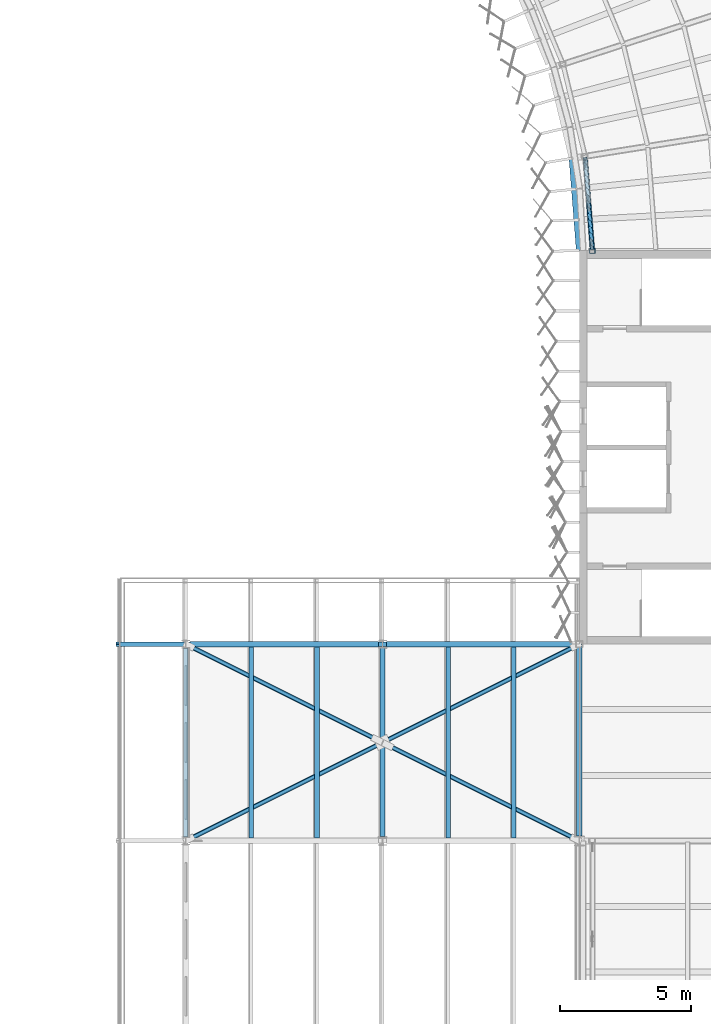
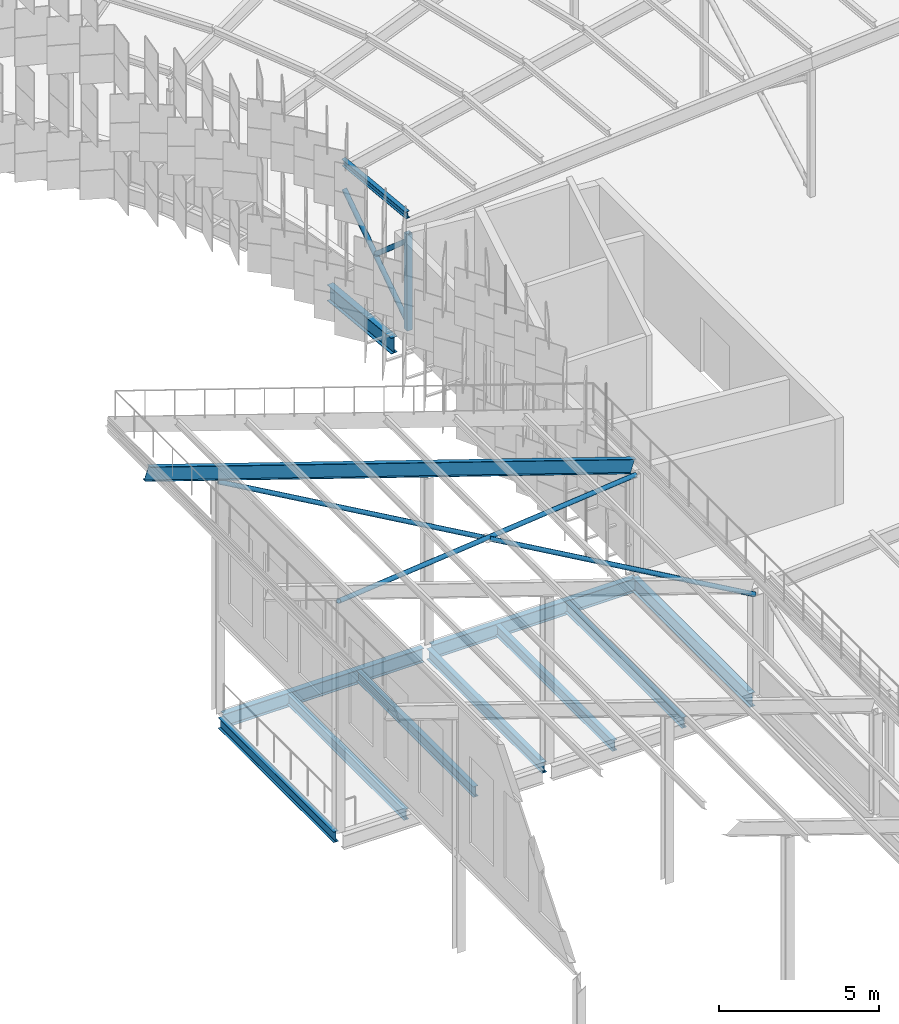
# One storey, part 77 of 483: 11 beams, 7 members.
"""IFC4 building model written with IfcOpenShell, lengths in metres."""

import ifcopenshell
import ifcopenshell.guid

model = None  # the IFC model being written
_history = None  # IfcOwnerHistory: only IFC2X3 demands one
_inside = {}  # id of a spatial element -> (the spatial element, [elements in it])
_under = {}  # id of a project, library or spatial element -> (it, [spatial elements below it])
_declared = {}  # id of a project -> (the project, [libraries it declares])
_typed = {}  # id of a type object -> (the type object, [elements of that type])
_made_of = {}  # id of a material, layer set ... -> (it, [elements and type objects made of it])


def new_model(schema):
    """Start an empty IFC model of exactly this schema.

    Asked for "IFC4X3", IfcOpenShell would pick the latest addendum, in which some entities
    have other attributes; the version numbers below select the first issue.
    IFC2X3 requires an IfcOwnerHistory on every rooted entity: one is made here for all.
    """
    global model, _history
    if schema == "IFC4X3":
        model = ifcopenshell.file(schema_version=(4, 3, 0, 0))
    else:
        model = ifcopenshell.file(schema=schema)
    _inside.clear()
    _under.clear()
    _declared.clear()
    _typed.clear()
    _made_of.clear()
    _history = None
    if model.schema == "IFC2X3":
        org = make("IfcOrganization", Name="unknown")
        user = make(
            "IfcPersonAndOrganization",
            ThePerson=make("IfcPerson", FamilyName="unknown"),
            TheOrganization=org,
        )
        app = make(
            "IfcApplication",
            ApplicationDeveloper=org,
            Version="unknown",
            ApplicationFullName="unknown",
            ApplicationIdentifier="unknown",
        )
        _history = make(
            "IfcOwnerHistory",
            OwningUser=user,
            OwningApplication=app,
            ChangeAction="ADDED",
            CreationDate=0,
        )
    return model


def make(cls, **values):
    """One entity of the class cls with the attributes given. An attribute that is None is left unset."""
    return model.create_entity(
        cls, **{name: value for name, value in values.items() if value is not None}
    )


def rooted(cls, **values):
    """An entity with a GlobalId (a new one), such as an element, a storey or a relation."""
    return make(cls, GlobalId=ifcopenshell.guid.new(), OwnerHistory=_history, **values)


def si_unit(unit_type, name, prefix=None):
    """IfcSIUnit, for example si_unit("LENGTHUNIT", "METRE", prefix="MILLI")."""
    return make("IfcSIUnit", UnitType=unit_type, Prefix=prefix, Name=name)


def assignment(units):
    """IfcUnitAssignment: the units of a project."""
    return None if units is None else make("IfcUnitAssignment", Units=units)


def point(xyz):
    """IfcCartesianPoint."""
    return None if xyz is None else make("IfcCartesianPoint", Coordinates=xyz)


def direction(xyz):
    """IfcDirection."""
    return None if xyz is None else make("IfcDirection", DirectionRatios=xyz)


def frame(location, z_axis=None, x_axis=None):
    """IfcAxis2Placement3D, a coordinate frame: its origin and axes. An axis left out is left unset."""
    return make(
        "IfcAxis2Placement3D",
        Location=point(location),
        Axis=direction(z_axis),
        RefDirection=direction(x_axis),
    )


def frame_2d(location, x_axis=None):
    """IfcAxis2Placement2D, a coordinate frame in the plane: its origin and x axis."""
    return make(
        "IfcAxis2Placement2D", Location=point(location), RefDirection=direction(x_axis)
    )


def origin():
    """The frame at (0, 0, 0) with its axes left unset."""
    return frame((0.0, 0.0, 0.0))


def origin_2d():
    """The frame at (0, 0) in the plane with its x axis left unset."""
    return frame_2d((0.0, 0.0))


def place(relative_to, where):
    """IfcLocalPlacement: puts the frame where relative to a parent placement (None: the world)."""
    return make(
        "IfcLocalPlacement", PlacementRelTo=relative_to, RelativePlacement=where
    )


def context(
    kind, dimensions, precision=None, world=None, true_north=None, identifier=None
):
    """IfcGeometricRepresentationContext, for example the 3D "Model" context."""
    return make(
        "IfcGeometricRepresentationContext",
        ContextIdentifier=identifier,
        ContextType=kind,
        CoordinateSpaceDimension=dimensions,
        Precision=precision,
        WorldCoordinateSystem=world,
        TrueNorth=true_north,
    )


def subcontext(parent, identifier, kind, view, scale=None):
    """IfcGeometricRepresentationSubContext, for example "Body" below "Model"."""
    return make(
        "IfcGeometricRepresentationSubContext",
        ContextIdentifier=identifier,
        ContextType=kind,
        ParentContext=parent,
        TargetScale=scale,
        TargetView=view,
    )


def project(units=None, contexts=None):
    """IfcProject with its units and contexts."""
    return rooted(
        "IfcProject",
        Name="project",
        RepresentationContexts=contexts,
        UnitsInContext=assignment(units),
    )


def spatial(cls, under=None, at=None, **own):
    """A site, building, storey or space (cls), placed at a placement, below another one or the project."""
    s = rooted(cls, ObjectPlacement=at, **own)
    if under is not None:
        _under.setdefault(under.id(), (under, []))[1].append(s)
    return s


def profile(cls, at=None, kind="AREA", **sizes):
    """A parametric profile (cls). Its sizes go by their IFC names, for example OverallWidth=200.0."""
    return make(cls, ProfileType=kind, Position=at, **sizes)


def hollow_rectangle(**sizes):
    """IfcRectangleHollowProfileDef."""
    return profile("IfcRectangleHollowProfileDef", **sizes)


def hollow_circle(**sizes):
    """IfcCircleHollowProfileDef."""
    return profile("IfcCircleHollowProfileDef", **sizes)


def i_section(**sizes):
    """IfcIShapeProfileDef."""
    return profile("IfcIShapeProfileDef", **sizes)


def extrude(swept, where, along, depth):
    """IfcExtrudedAreaSolid: the profile swept, set in the frame where, extruded along a direction by depth."""
    return make(
        "IfcExtrudedAreaSolid",
        SweptArea=swept,
        Position=where,
        ExtrudedDirection=direction(along),
        Depth=depth,
    )


def shape(context_of_items, identifier, shape_type, items):
    """IfcShapeRepresentation: the items that make up one representation, for example the "Body"."""
    return make(
        "IfcShapeRepresentation",
        ContextOfItems=context_of_items,
        RepresentationIdentifier=identifier,
        RepresentationType=shape_type,
        Items=items,
    )


def material(Name=None, Category=None):
    """IfcMaterial."""
    return make("IfcMaterial", Name=Name, Category=Category)


def material_profile(
    of_material, cross_section, Name=None, Category=None, Priority=None
):
    """IfcMaterialProfile: a cross section and its material."""
    return make(
        "IfcMaterialProfile",
        Name=Name,
        Material=of_material,
        Profile=cross_section,
        Priority=Priority,
        Category=Category,
    )


def profile_set(profiles, Name=None, composite=None):
    """IfcMaterialProfileSet."""
    return make(
        "IfcMaterialProfileSet",
        Name=Name,
        MaterialProfiles=profiles,
        CompositeProfile=composite,
    )


def made_of(thing, what):
    """Note that an element or type object is made of a material, layer set ...; save() writes the relation."""
    if what is not None:
        _made_of.setdefault(what.id(), (what, []))[1].append(thing)
    return thing


def type_object(cls, material=None, **own):
    """A type object (cls), such as IfcWallType, which elements share."""
    return made_of(rooted(cls, **own), material)


def element(
    cls,
    number,
    at=None,
    inside=None,
    cuts=None,
    type_object=None,
    material=None,
    context=None,
    identifier="Body",
    shape_type=None,
    held_by="IfcProductDefinitionShape",
    body=None,
    shapes=None,
    **own,
):
    """One element of the class cls, such as IfcWall. Its Tag is "e" and its number.

    at: its placement. inside: the storey or other place that contains it. cuts: it is an
    opening in that element (IfcRelVoidsElement). A single representation is given by context,
    identifier, shape_type and body (its items); several are given by shapes. held_by: the class
    of the entity that holds the representations. save() writes the other relations.
    """
    e = rooted(cls, Tag="e%d" % number, ObjectPlacement=at, **own)
    if body is not None:
        shapes = [shape(context, identifier, shape_type, body)]
    if shapes is not None:
        e.Representation = make(held_by, Representations=shapes)
    if inside is not None:
        _inside.setdefault(inside.id(), (inside, []))[1].append(e)
    if cuts is not None:
        rooted(
            "IfcRelVoidsElement", RelatingBuildingElement=cuts, RelatedOpeningElement=e
        )
    if type_object is not None:
        _typed.setdefault(type_object.id(), (type_object, []))[1].append(e)
    return made_of(e, material)


def aggregate(whole, parts):
    """IfcRelAggregates: a whole, such as a stair, and the parts it consists of."""
    return rooted("IfcRelAggregates", RelatingObject=whole, RelatedObjects=parts)


def save(model, path):
    """Write the relations noted so far, then the file.

    IfcRelAggregates (storeys below a building ...), IfcRelContainedInSpatialStructure (elements
    in a storey), IfcRelDefinesByType, IfcRelAssociatesMaterial and IfcRelDeclares: one each for
    every whole, place, type object, material and project.
    """
    for whole, parts in _under.values():
        aggregate(whole, parts)
    for where, things in _inside.values():
        rooted(
            "IfcRelContainedInSpatialStructure",
            RelatedElements=things,
            RelatingStructure=where,
        )
    for kind, things in _typed.values():
        rooted("IfcRelDefinesByType", RelatedObjects=things, RelatingType=kind)
    for what, things in _made_of.values():
        rooted("IfcRelAssociatesMaterial", RelatedObjects=things, RelatingMaterial=what)
    for by, libraries in _declared.values():
        rooted("IfcRelDeclares", RelatingContext=by, RelatedDefinitions=libraries)
    model.write(path)


model = new_model("IFC4")

# Units and contexts
model_context = context("Model", 3, precision=1e-05, world=origin(), true_north=direction((0.0, 1.0)))
body_context = subcontext(model_context, "Body", "Model", "MODEL_VIEW")
ifc_project = project(units=[si_unit("LENGTHUNIT", "METRE"), si_unit("AREAUNIT", "SQUARE_METRE"), si_unit("VOLUMEUNIT", "CUBIC_METRE"), si_unit("PLANEANGLEUNIT", "RADIAN"), si_unit("MASSUNIT", "GRAM", prefix="KILO")], contexts=[model_context])

# Site, building, storey
site_placement = place(None, origin())
site = spatial("IfcSite", under=ifc_project, at=site_placement, CompositionType="ELEMENT")
building_placement = place(site_placement, origin())
building = spatial("IfcBuilding", under=site, at=building_placement, Name="Parallax Yard Mobility Hub", CompositionType="ELEMENT")
storey_placement = place(building_placement, frame((0.0, 0.0, 13.199951171875)))
storey = spatial("IfcBuildingStorey", under=building, at=storey_placement, Name="L04", CompositionType="ELEMENT", Elevation=13.199951171875)

# Members
ifc_material_1 = material(Name="Steel ASTM A500 Gr C", Category="steel")
ifc_material_profile_1 = material_profile(ifc_material_1, hollow_circle(Radius=0.0888671875, WallThickness=0.0078125, at=origin_2d()), Name="HSS177.8x7.9")
ifc_profile_set_1 = profile_set([ifc_material_profile_1], Name="Steel ASTM A500 Gr C")
member_type_1 = type_object("IfcMemberType", Name="Canopy brace HSS177.8x7.9", PredefinedType="BRACE", material=ifc_profile_set_1)
member_1_placement = place(storey_placement, frame((195.49267578125, 90.093994140625, 0.300048828125), z_axis=(-0.059112785919, 0.750571164477, 0.658140262859), x_axis=(-0.996913015219, -0.07851394836, 0.0)))
element("IfcMember", 1, at=member_1_placement, inside=storey, type_object=member_type_1, Name="Canopy X brace RA bay R9-R10 diagonal B", PredefinedType="BRACE", context=body_context, shape_type="SweptSolid", body=[
    extrude(hollow_circle(Radius=0.0888671875, WallThickness=0.0078125, at=origin_2d()), origin(), (0.0, 0.0, 1.0), 4.54296875),
])
member_2_placement = place(storey_placement, frame((195.363037109375, 91.7392578125, 1.84765625), z_axis=(0.059146020461, -0.750630945176, 0.658069093946), x_axis=(0.996910049128, 0.078551600547, 0.0)))
element("IfcMember", 2, at=member_2_placement, inside=storey, type_object=member_type_1, Name="Canopy X brace RA bay R9-R10 diagonal A part 2", PredefinedType="BRACE", context=body_context, shape_type="SweptSolid", body=[
    extrude(hollow_circle(Radius=0.0888671875, WallThickness=0.0078125, at=origin_2d()), origin(), (0.0, 0.0, 1.0), 2.19189453125),
])
ifc_material_profile_2 = material_profile(ifc_material_1, hollow_rectangle(XDim=0.203125, YDim=0.203125, WallThickness=0.009521484375, at=origin_2d()), Name="HSS203x203x9.5")
ifc_profile_set_2 = profile_set([ifc_material_profile_2], Name="Steel ASTM A500 Gr C")
member_type_2 = type_object("IfcMemberType", Name="Canopy post HSS203x203x9.5", PredefinedType="POST", material=ifc_profile_set_2)
member_3_placement = place(storey_placement, frame((195.5, 90.0, 0.0), z_axis=(0.0, 0.0, 1.0), x_axis=(1.0, 0.0, 0.0)))
element("IfcMember", 3, at=member_3_placement, inside=storey, type_object=member_type_2, Name="Canopy post RA/R10", PredefinedType="POST", context=body_context, shape_type="SweptSolid", body=[
    extrude(hollow_rectangle(XDim=0.203125, YDim=0.203125, WallThickness=0.009521484375, at=origin_2d()), origin(), (0.0, 0.0, 1.0), 3.650146484375),
])
ifc_material_2 = material(Name="Steel ASTM A992", Category="steel")
ifc_material_profile_3 = material_profile(ifc_material_2, i_section(OverallWidth=0.14794921875, OverallDepth=0.26611328125, WebThickness=0.007568359375, FlangeThickness=0.012939453125, at=origin_2d()), Name="W250x45")
ifc_profile_set_3 = profile_set([ifc_material_profile_3], Name="Steel ASTM A992")
member_type_3 = type_object("IfcMemberType", Name="Canopy purlin W250x45", PredefinedType="PURLIN", material=ifc_profile_set_3)
member_4_placement = place(storey_placement, frame((195.23046875, 93.55908203125, 4.302001953125), z_axis=(0.078516138815, -0.996912842703, 0.0), x_axis=(0.993718388442, 0.078264545894, 0.079990157691)))
element("IfcMember", 4, at=member_4_placement, inside=storey, type_object=member_type_3, Name="Canopy purlin sector R9-R10 line 1", PredefinedType="PURLIN", context=body_context, shape_type="SweptSolid", body=[
    extrude(i_section(OverallWidth=0.14794921875, OverallDepth=0.26611328125, WebThickness=0.007568359375, FlangeThickness=0.012939453125, at=origin_2d()), origin(), (0.0, 0.0, 1.0), 3.529296875),
])
ifc_material_profile_4 = material_profile(ifc_material_1, hollow_circle(Radius=0.084228515625, WallThickness=0.007080078125, at=origin_2d()), Name="HSS168.3x7.1")
ifc_profile_set_4 = profile_set([ifc_material_profile_4], Name="Steel ASTM A500 Gr C")
member_type_4 = type_object("IfcMemberType", Name="Roof brace HSS168.3x7.1", PredefinedType="BRACE", material=ifc_profile_set_4)
member_5_placement = place(storey_placement, frame((180.0, 67.5, 8.71142578125), z_axis=(0.857142857143, 0.428571428571, -0.285714285714), x_axis=(-0.4472135955, 0.894427191, 0.0)))
element("IfcMember", 5, at=member_5_placement, inside=storey, type_object=member_type_4, Name="Roof X brace end bay 2 1", PredefinedType="BRACE", context=body_context, shape_type="SweptSolid", body=[
    extrude(hollow_circle(Radius=0.084228515625, WallThickness=0.007080078125, at=origin_2d()), origin(), (0.0, 0.0, 1.0), 17.5),
])
for number, where, z_axis, x_axis, name in (
    (6, (195.0, 67.5, 3.71142578125), (-0.857149765539, 0.42857488277, 0.285688377949), (-0.4472135955, -0.894427191, 0.0), "Roof X brace end bay 2 2 (half 1)"),
    (7, (187.41796875, 71.291015625, 6.23876953125), (-0.857142857143, 0.428571428571, 0.285714285714), (-0.4472135955, -0.894427191, 0.0), "Roof X brace end bay 2 2 (half 2)"),
):
    element("IfcMember", number, at=place(storey_placement, frame(where, z_axis=z_axis, x_axis=x_axis)), inside=storey, type_object=member_type_4, Name=name, PredefinedType="BRACE", context=body_context, shape_type="SweptSolid", body=[
        extrude(hollow_circle(Radius=0.084228515625, WallThickness=0.007080078125, at=origin_2d()), origin(), (0.0, 0.0, 1.0), 8.654296875),
    ])

# Beams
ifc_material_profile_5 = material_profile(ifc_material_2, i_section(OverallWidth=0.166015625, OverallDepth=0.529052734375, WebThickness=0.009765625, FlangeThickness=0.013671875, at=origin_2d()), Name="W530x74")
ifc_profile_set_5 = profile_set([ifc_material_profile_5], Name="Steel ASTM A992")
beam_type_1 = type_object("IfcBeamType", Name="Roof rafter W530x74", PredefinedType="BEAM", material=ifc_profile_set_5)
beam_1_placement = place(storey_placement, frame((177.41650390625, 75.0, 9.93994140625), z_axis=(0.948684621542, 0.0, -0.316223795515), x_axis=(0.0, 1.0, 0.0)))
element("IfcBeam", 8, at=beam_1_placement, inside=storey, type_object=beam_type_1, Name="Roof rafter at y 75", PredefinedType="BEAM", context=body_context, shape_type="SweptSolid", body=[
    extrude(i_section(OverallWidth=0.166015625, OverallDepth=0.529052734375, WebThickness=0.009765625, FlangeThickness=0.013671875, at=origin_2d()), origin(), (0.0, 0.0, 1.0), 18.446533203125),
])
ifc_material_profile_6 = material_profile(ifc_material_2, i_section(OverallWidth=0.177978515625, OverallDepth=0.406005859375, WebThickness=0.0078125, FlangeThickness=0.0126953125, FilletRadius=0.01025390625, at=origin_2d()), Name="W410x60")
ifc_profile_set_6 = profile_set([ifc_material_profile_6], Name="Steel ASTM A992")
beam_type_2 = type_object("IfcBeamType", Name="W410x60 edge beam", PredefinedType="SPANDREL", material=ifc_profile_set_6)
beam_2_placement = place(storey_placement, frame((180.0, 67.653564453125, -0.343017578125), z_axis=(0.0, 1.0, 0.0), x_axis=(-1.0, 0.0, 0.0)))
element("IfcBeam", 9, at=beam_2_placement, inside=storey, type_object=beam_type_2, Name="Edge beam SB1 level L04, line 25 of ramp house, span 1", PredefinedType="SPANDREL", context=body_context, shape_type="SweptSolid", body=[
    extrude(i_section(OverallWidth=0.177978515625, OverallDepth=0.406005859375, WebThickness=0.0078125, FlangeThickness=0.0126953125, FilletRadius=0.01025390625, at=origin_2d()), origin(), (0.0, 0.0, 1.0), 7.19287109375),
])
ifc_material_profile_7 = material_profile(ifc_material_2, i_section(OverallWidth=0.177978515625, OverallDepth=0.406005859375, WebThickness=0.0078125, FlangeThickness=0.0126953125, FilletRadius=0.01025390625, at=origin_2d()), Name="W410x60")
ifc_profile_set_7 = profile_set([ifc_material_profile_7], Name="Steel ASTM A992")
beam_type_3 = type_object("IfcBeamType", Name="W410x60 longitudinal beam", PredefinedType="BEAM", material=ifc_profile_set_7)
beam_3_placement = place(storey_placement, frame((187.5, 67.6640625, -0.343017578125), z_axis=(0.0, 1.0, 0.0), x_axis=(-1.0, 0.0, 0.0)))
element("IfcBeam", 10, at=beam_3_placement, inside=storey, type_object=beam_type_3, Name="Longitudinal beam SB2 level L04, line 26 of ramp house, span 1", PredefinedType="BEAM", context=body_context, shape_type="SweptSolid", body=[
    extrude(i_section(OverallWidth=0.177978515625, OverallDepth=0.406005859375, WebThickness=0.0078125, FlangeThickness=0.0126953125, FilletRadius=0.01025390625, at=origin_2d()), origin(), (0.0, 0.0, 1.0), 7.182373046875),
])
ifc_material_profile_8 = material_profile(ifc_material_2, i_section(OverallWidth=0.177978515625, OverallDepth=0.406005859375, WebThickness=0.0078125, FlangeThickness=0.0126953125, FilletRadius=0.01025390625, at=origin_2d()), Name="W410x60")
ifc_profile_set_8 = profile_set([ifc_material_profile_8], Name="Steel ASTM A992")
beam_type_4 = type_object("IfcBeamType", Name="W410x60 secondary beam", PredefinedType="JOIST", material=ifc_profile_set_8)
for number, where, z_axis, x_axis, name in (
    (11, (182.5, 67.6044921875, -0.343017578125), (0.0, 1.0, 0.0), (-1.0, 0.0, 0.0), "Secondary beam B1 level L04, 2.5 m east of line 25 of ramp house, span 1"),
    (12, (190.0, 67.6044921875, -0.343017578125), (0.0, 1.0, 0.0), (-1.0, 0.0, 0.0), "Secondary beam B1 level L04, 2.5 m east of line 26 of ramp house, span 1"),
    (13, (185.0, 67.6044921875, -0.343017578125), (0.0, 1.0, 0.0), (-1.0, 0.0, 0.0), "Secondary beam B1 level L04, 5 m east of line 25 of ramp house, span 1"),
    (14, (192.5, 67.6044921875, -0.343017578125), (0.0, 1.0, 0.0), (-1.0, 0.0, 0.0), "Secondary beam B1 level L04, 5 m east of line 26 of ramp house, span 1"),
):
    element("IfcBeam", number, at=place(storey_placement, frame(where, z_axis=z_axis, x_axis=x_axis)), inside=storey, type_object=beam_type_4, Name=name, PredefinedType="JOIST", context=body_context, shape_type="SweptSolid", body=[
        extrude(i_section(OverallWidth=0.177978515625, OverallDepth=0.406005859375, WebThickness=0.0078125, FlangeThickness=0.0126953125, FilletRadius=0.01025390625, at=origin_2d()), origin(), (0.0, 0.0, 1.0), 7.291015625),
    ])
ifc_material_profile_9 = material_profile(ifc_material_2, i_section(OverallWidth=0.208984375, OverallDepth=0.532958984375, WebThickness=0.01025390625, FlangeThickness=0.015625, FilletRadius=0.0126953125, at=origin_2d()), Name="W530x92")
ifc_profile_set_9 = profile_set([ifc_material_profile_9], Name="Steel ASTM A992")
beam_type_5 = type_object("IfcBeamType", Name="W530x92 edge beam", PredefinedType="SPANDREL", material=ifc_profile_set_9)
beam_4_placement = place(storey_placement, frame((195.0, 67.6865234375, -0.406494140625), z_axis=(0.0, 1.0, 0.0), x_axis=(-1.0, 0.0, 0.0)))
element("IfcBeam", 15, at=beam_4_placement, inside=storey, type_object=beam_type_5, Name="Edge beam SB5 level L04, line 27 of ramped parking decks, span 6", PredefinedType="SPANDREL", context=body_context, shape_type="SweptSolid", body=[
    extrude(i_section(OverallWidth=0.208984375, OverallDepth=0.532958984375, WebThickness=0.01025390625, FlangeThickness=0.015625, FilletRadius=0.0126953125, at=origin_2d()), origin(), (0.0, 0.0, 1.0), 7.3134765625),
])
ifc_material_profile_10 = material_profile(ifc_material_2, i_section(OverallWidth=0.208984375, OverallDepth=0.532958984375, WebThickness=0.01025390625, FlangeThickness=0.015625, FilletRadius=0.0126953125, at=origin_2d()), Name="W530x92")
ifc_profile_set_10 = profile_set([ifc_material_profile_10], Name="Steel ASTM A992")
beam_type_6 = type_object("IfcBeamType", Name="W530x92 girder", PredefinedType="BEAM", material=ifc_profile_set_10)
beam_5_placement = place(storey_placement, frame((180.152587890625, 75.0, -0.406494140625), z_axis=(1.0, 0.0, 0.0), x_axis=(0.0, 1.0, 0.0)))
element("IfcBeam", 16, at=beam_5_placement, inside=storey, type_object=beam_type_6, Name="Girder G2 level L04, line L of ramp house, span 1", PredefinedType="BEAM", context=body_context, shape_type="SweptSolid", body=[
    extrude(i_section(OverallWidth=0.208984375, OverallDepth=0.532958984375, WebThickness=0.01025390625, FlangeThickness=0.015625, FilletRadius=0.0126953125, at=origin_2d()), origin(), (0.0, 0.0, 1.0), 7.19482421875),
])
beam_6_placement = place(storey_placement, frame((187.652587890625, 75.0, -0.406494140625), z_axis=(1.0, 0.0, 0.0), x_axis=(0.0, 1.0, 0.0)))
element("IfcBeam", 17, at=beam_6_placement, inside=storey, type_object=beam_type_6, Name="Girder G2 level L04, line L of ramp house, span 2", PredefinedType="BEAM", context=body_context, shape_type="SweptSolid", body=[
    extrude(i_section(OverallWidth=0.208984375, OverallDepth=0.532958984375, WebThickness=0.01025390625, FlangeThickness=0.015625, FilletRadius=0.0126953125, at=origin_2d()), origin(), (0.0, 0.0, 1.0), 7.347412109375),
])
ifc_material_profile_11 = material_profile(ifc_material_2, i_section(OverallWidth=0.22900390625, OverallDepth=0.612060546875, WebThickness=0.011962890625, FlangeThickness=0.01953125, FilletRadius=0.0126953125, at=origin_2d()), Name="W610x125")
ifc_profile_set_11 = profile_set([ifc_material_profile_11], Name="Steel ASTM A992")
beam_type_7 = type_object("IfcBeamType", Name="W610x125 edge beam", PredefinedType="SPANDREL", material=ifc_profile_set_11)
beam_7_placement = place(storey_placement, frame((194.722900390625, 93.519775390625, -0.446044921875), z_axis=(0.078483663652, -0.996915399891, 0.0), x_axis=(0.996915399891, 0.078483663652, 0.0)))
element("IfcBeam", 18, at=beam_7_placement, inside=storey, type_object=beam_type_7, Name="Edge beam SB7 level L04, ring RA of ramped parking decks, span 10", PredefinedType="SPANDREL", context=body_context, shape_type="SweptSolid", body=[
    extrude(i_section(OverallWidth=0.22900390625, OverallDepth=0.612060546875, WebThickness=0.011962890625, FlangeThickness=0.01953125, FilletRadius=0.0126953125, at=origin_2d()), origin(), (0.0, 0.0, 1.0), 3.53076171875),
])

save(model, "model.ifc")
